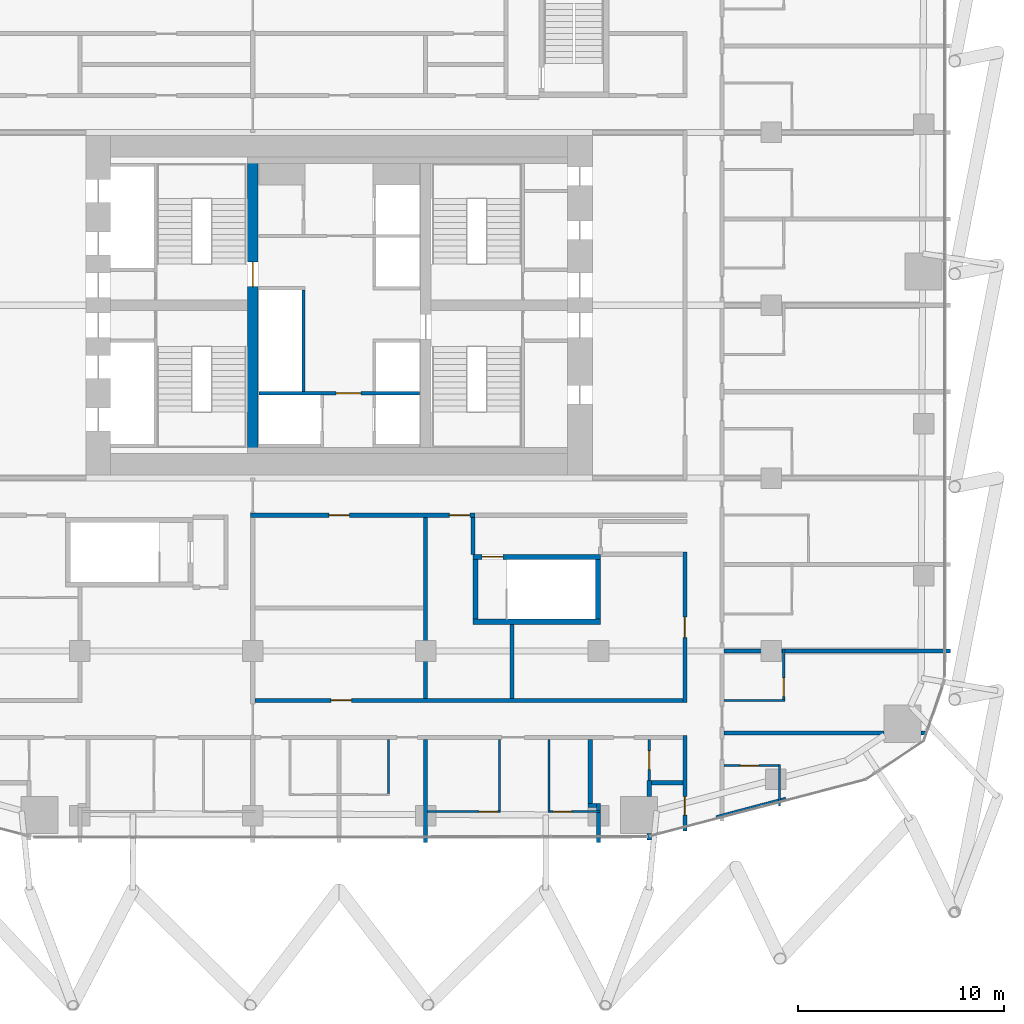
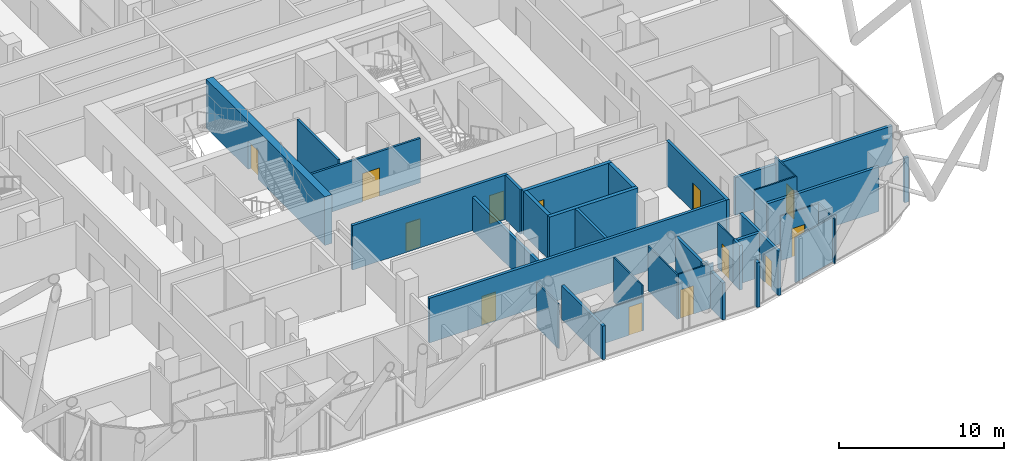
# One storey, part 29 of 36: 35 walls, 13 doors, 13 openings.
"""IFC4 building model written with IfcOpenShell, lengths in metres."""

from ifc_helpers import new_model, si_unit, direction, frame, frame_2d, origin, place, context, subcontext, project, spatial, rectangle, extrude, material, layer, layer_set, type_object, element, fill, save


model = new_model("IFC4")

# Units and contexts
model_context = context("Model", 3, precision=1e-05, world=origin(), true_north=direction((0.0, 1.0)))
body_context = subcontext(model_context, "Body", "Model", "MODEL_VIEW")
ifc_project = project(units=[si_unit("LENGTHUNIT", "METRE"), si_unit("AREAUNIT", "SQUARE_METRE"), si_unit("VOLUMEUNIT", "CUBIC_METRE"), si_unit("PLANEANGLEUNIT", "RADIAN"), si_unit("MASSUNIT", "GRAM", prefix="KILO")], contexts=[model_context])

# Site, building, storey
site_placement = place(None, origin())
site = spatial("IfcSite", under=ifc_project, at=site_placement, CompositionType="ELEMENT")
building_placement = place(site_placement, origin())
building = spatial("IfcBuilding", under=site, at=building_placement, Name="Marenta Gate Hotel Tower", CompositionType="ELEMENT")
storey_placement = place(building_placement, frame((0.0, 0.0, 83.300048828125)))
storey = spatial("IfcBuildingStorey", under=building, at=storey_placement, Name="L19", CompositionType="ELEMENT", Elevation=83.300048828125)

# Wall, opening, door
ifc_material_1 = material(Name="Concrete blockwork", Category="masonry")
ifc_layer_1 = layer(ifc_material_1, 0.14990234375)
ifc_layer_set_1 = layer_set([ifc_layer_1], Name="Concrete blockwork")
wall_type_1 = type_object("IfcWallType", Name="Core lobby partition 150 REI 180", PredefinedType="PARTITIONING", material=ifc_layer_set_1)
wall_1_placement = place(storey_placement, frame((-3.89990234375, 4.125, 0.0), z_axis=(0.0, 0.0, 1.0), x_axis=(1.0, 0.0, 0.0)))
wall_1 = element("IfcWall", 1, at=wall_1_placement, inside=storey, type_object=wall_type_1, Name="L19-CP-CW-S", PredefinedType="PARTITIONING", context=body_context, shape_type="SweptSolid", body=[
    extrude(rectangle(XDim=7.7998046875, YDim=0.14990234375, at=frame_2d((3.89990234375, 0.0))), origin(), (0.0, 0.0, 1.0), 3.300048828125),
])
opening_1_placement = place(wall_1_placement, frame((3.75, 0.0, 0.0)))
opening_1 = element("IfcOpeningElement", 2, at=opening_1_placement, cuts=wall_1, Name="Opening FD-FFS", PredefinedType="OPENING", context=body_context, shape_type="SweptSolid", body=[
    extrude(rectangle(XDim=1.199951171875, YDim=2.10009765625, at=frame_2d((0.60009765625, 1.050048828125))), frame((0.0, 0.074951171875, 0.0), z_axis=(0.0, -1.0, 0.0), x_axis=(1.0, 0.0, 0.0)), (0.0, 0.0, 1.0), 0.14990234375),
])
ifc_material_2 = material(Name="Steel", Category="steel")
door_type_1 = type_object("IfcDoorType", Name="Core lobby door 1200x2100 FD60", OperationType="SINGLE_SWING_LEFT", PredefinedType="DOOR", material=ifc_material_2)
door_1_placement = place(opening_1_placement, origin())
door_1 = element("IfcDoor", 3, at=door_1_placement, inside=storey, type_object=door_type_1, Name="FD-FFS", OperationType="SINGLE_SWING_LEFT", OverallHeight=2.10009765625, OverallWidth=1.199951171875, PredefinedType="DOOR", context=body_context, shape_type="SweptSolid", body=[
    extrude(rectangle(XDim=1.199951171875, YDim=2.10009765625, at=frame_2d((0.60009765625, 1.050048828125))), frame((0.0, 0.02490234375, 0.0), z_axis=(0.0, -1.0, 0.0), x_axis=(1.0, 0.0, 0.0)), (0.0, 0.0, 1.0), 0.050048828125),
])
fill(opening_1, door_1)

# Wall
ifc_material_3 = material(Name="Concrete C40", Category="concrete")
ifc_layer_2 = layer(ifc_material_3, 0.14990234375)
ifc_layer_set_2 = layer_set([ifc_layer_2], Name="Concrete C40")
wall_type_2 = type_object("IfcWallType", Name="Core shaft wall 150 REI 180", PredefinedType="SHEAR", material=ifc_layer_set_2)
wall_2_placement = place(storey_placement, frame((-1.72509765625, 4.199951171875, 0.0), z_axis=(0.0, 0.0, 1.0), x_axis=(0.0, 1.0, 0.0)))
element("IfcWall", 4, at=wall_2_placement, inside=storey, type_object=wall_type_2, Name="L19-SHF-CW-W-front", PredefinedType="SHEAR", context=body_context, shape_type="SweptSolid", body=[
    extrude(rectangle(XDim=4.949951171875, YDim=0.14990234375, at=frame_2d((2.47509765625, 0.0))), origin(), (0.0, 0.0, 1.0), 3.599853515625),
])

# Wall, opening, door
ifc_material_4 = material(Name="Concrete C80", Category="concrete")
ifc_layer_3 = layer(ifc_material_4, 0.5)
ifc_layer_set_3 = layer_set([ifc_layer_3], Name="Concrete C80")
wall_type_3 = type_object("IfcWallType", Name="Core web 500 C80", PredefinedType="SHEAR", material=ifc_layer_set_3)
wall_3_placement = place(storey_placement, frame((-4.199951171875, 1.199951171875, 0.0), z_axis=(0.0, 0.0, 1.0), x_axis=(0.0, 1.0, 0.0)))
wall_3 = element("IfcWall", 5, at=wall_3_placement, inside=storey, type_object=wall_type_3, Name="L19-CORE-W1", PredefinedType="SHEAR", context=body_context, shape_type="SweptSolid", body=[
    extrude(rectangle(XDim=14.400146484375, YDim=0.5, at=frame_2d((7.2001953125, 0.0))), origin(), (0.0, 0.0, 1.0), 3.599853515625),
])
opening_2_placement = place(wall_3_placement, frame((8.10009765625, 0.0, 0.0)))
opening_2 = element("IfcOpeningElement", 6, at=opening_2_placement, cuts=wall_3, Name="Opening WD-W", PredefinedType="OPENING", context=body_context, shape_type="SweptSolid", body=[
    extrude(rectangle(XDim=1.199951171875, YDim=2.10009765625, at=frame_2d((0.60009765625, 1.050048828125))), frame((0.0, 0.25, 0.0), z_axis=(0.0, -1.0, 0.0), x_axis=(1.0, 0.0, 0.0)), (0.0, 0.0, 1.0), 0.5),
])
ifc_material_5 = material(Name="Steel", Category="steel")
door_type_2 = type_object("IfcDoorType", Name="Core stair door 1200x2100 FD60", OperationType="SINGLE_SWING_LEFT", PredefinedType="DOOR", material=ifc_material_5)
door_2_placement = place(opening_2_placement, origin())
door_2 = element("IfcDoor", 7, at=door_2_placement, inside=storey, type_object=door_type_2, Name="WD-W", OperationType="SINGLE_SWING_LEFT", OverallHeight=2.10009765625, OverallWidth=1.199951171875, PredefinedType="DOOR", context=body_context, shape_type="SweptSolid", body=[
    extrude(rectangle(XDim=1.199951171875, YDim=2.10009765625, at=frame_2d((0.60009765625, 1.050048828125))), frame((0.0, 0.02490234375, 0.0), z_axis=(0.0, -1.0, 0.0), x_axis=(1.0, 0.0, 0.0)), (0.0, 0.0, 1.0), 0.050048828125),
])
fill(opening_2, door_2)

# Wall
ifc_material_6 = material(Name="Concrete C40", Category="concrete")
ifc_layer_4 = layer(ifc_material_6, 0.25)
ifc_layer_set_4 = layer_set([ifc_layer_4], Name="Concrete C40")
wall_type_4 = type_object("IfcWallType", Name="Remote stair enclosure wall 250 REI 180", PredefinedType="SHEAR", material=ifc_layer_set_4)
wall_4_placement = place(storey_placement, frame((6.5, -6.97509765625, 0.099853515625), z_axis=(0.0, 0.0, 1.0), x_axis=(1.0, 0.0, 0.0)))
element("IfcWall", 8, at=wall_4_placement, inside=storey, type_object=wall_type_4, Name="L19-RS-Z1-1-W1", PredefinedType="SHEAR", context=body_context, shape_type="SweptSolid", body=[
    extrude(rectangle(XDim=6.199951171875, YDim=0.25, at=frame_2d((3.10009765625, 0.0))), origin(), (0.0, 0.0, 1.0), 3.2001953125),
])

# Wall, opening, door
wall_5_placement = place(storey_placement, frame((6.5, -3.824951171875, 0.099853515625), z_axis=(0.0, 0.0, 1.0), x_axis=(1.0, 0.0, 0.0)))
wall_5 = element("IfcWall", 9, at=wall_5_placement, inside=storey, type_object=wall_type_4, Name="L19-RS-Z1-1-W2", PredefinedType="SHEAR", context=body_context, shape_type="SweptSolid", body=[
    extrude(rectangle(XDim=6.199951171875, YDim=0.25, at=frame_2d((3.10009765625, 0.0))), origin(), (0.0, 0.0, 1.0), 3.2001953125),
])
opening_3_placement = place(wall_5_placement, frame((0.449951171875, 0.0, 0.0)))
opening_3 = element("IfcOpeningElement", 10, at=opening_3_placement, cuts=wall_5, Name="Opening VD", PredefinedType="OPENING", context=body_context, shape_type="SweptSolid", body=[
    extrude(rectangle(XDim=1.0, YDim=2.10009765625, at=frame_2d((0.5, 1.050048828125))), frame((0.0, 0.125, 0.0), z_axis=(0.0, -1.0, 0.0), x_axis=(1.0, 0.0, 0.0)), (0.0, 0.0, 1.0), 0.25),
])
ifc_material_7 = material(Name="Steel", Category="steel")
door_type_3 = type_object("IfcDoorType", Name="Stair vestibule door 1000x2100 FD60", OperationType="SINGLE_SWING_LEFT", PredefinedType="DOOR", material=ifc_material_7)
door_3_placement = place(opening_3_placement, origin())
door_3 = element("IfcDoor", 11, at=door_3_placement, inside=storey, type_object=door_type_3, Name="VD", OperationType="SINGLE_SWING_LEFT", OverallHeight=2.10009765625, OverallWidth=1.0, PredefinedType="DOOR", context=body_context, shape_type="SweptSolid", body=[
    extrude(rectangle(XDim=1.0, YDim=2.10009765625, at=frame_2d((0.5, 1.050048828125))), frame((0.0, 0.02490234375, 0.0), z_axis=(0.0, -1.0, 0.0), x_axis=(1.0, 0.0, 0.0)), (0.0, 0.0, 1.0), 0.050048828125),
])
fill(opening_3, door_3)

# Walls
for number, where, z_axis, x_axis, name in (
    (12, (6.625, -6.85009765625, 0.099853515625), (0.0, 0.0, 1.0), (0.0, 1.0, 0.0), "L19-RS-Z1-1-W3"),
    (13, (12.574951171875, -6.85009765625, 0.099853515625), (0.0, 0.0, 1.0), (0.0, 1.0, 0.0), "L19-RS-Z1-1-W4"),
):
    element("IfcWall", number, at=place(storey_placement, frame(where, z_axis=z_axis, x_axis=x_axis)), inside=storey, type_object=wall_type_4, Name=name, PredefinedType="SHEAR", context=body_context, shape_type="SweptSolid", body=[
        extrude(rectangle(XDim=2.900146484375, YDim=0.25, at=frame_2d((1.4501953125, 0.0))), origin(), (0.0, 0.0, 1.0), 3.2001953125),
    ])

# Wall, opening, door
ifc_material_8 = material(Name="Concrete blockwork", Category="masonry")
ifc_layer_5 = layer(ifc_material_8, 0.199951171875)
ifc_layer_set_5 = layer_set([ifc_layer_5], Name="Concrete blockwork")
wall_type_5 = type_object("IfcWallType", Name="Room corridor wall 200 EI 120", PredefinedType="PARTITIONING", material=ifc_layer_set_5)
wall_6_placement = place(storey_placement, frame((16.800048828125, -17.14306640625, 0.0), z_axis=(0.0, 0.0, 1.0), x_axis=(0.0, 1.0, 0.0)))
wall_6 = element("IfcWall", 14, at=wall_6_placement, inside=storey, type_object=wall_type_5, Name="L19-PTN-W016", PredefinedType="PARTITIONING", context=body_context, shape_type="SweptSolid", body=[
    extrude(rectangle(XDim=4.64306640625, YDim=0.199951171875, at=frame_2d((2.321533203125, 0.0))), origin(), (0.0, 0.0, 1.0), 3.300048828125),
])
opening_4_placement = place(wall_6_placement, frame((0.77099609375, 0.0, 0.0)))
opening_4 = element("IfcOpeningElement", 15, at=opening_4_placement, cuts=wall_6, Name="Opening G07-81", PredefinedType="OPENING", context=body_context, shape_type="SweptSolid", body=[
    extrude(rectangle(XDim=0.89990234375, YDim=2.10009765625, at=frame_2d((0.449951171875, 1.050048828125))), frame((0.0, 0.10009765625, 0.0), z_axis=(0.0, -1.0, 0.0), x_axis=(1.0, 0.0, 0.0)), (0.0, 0.0, 1.0), 0.199951171875),
])
ifc_material_9 = material(Name="Hollow steel door set", Category="steel")
door_type_4 = type_object("IfcDoorType", Name="Room service door 900x2100 EI 60", OperationType="NOTDEFINED", PredefinedType="DOOR", material=ifc_material_9)
door_4_placement = place(opening_4_placement, origin())
door_4 = element("IfcDoor", 16, at=door_4_placement, inside=storey, type_object=door_type_4, Name="L19-PD-D081", OperationType="SINGLE_SWING_RIGHT", OverallHeight=2.10009765625, OverallWidth=0.89990234375, PredefinedType="DOOR", context=body_context, shape_type="SweptSolid", body=[
    extrude(rectangle(XDim=0.89990234375, YDim=2.10009765625, at=frame_2d((0.449951171875, 1.050048828125))), frame((0.0, 0.02490234375, 0.0), z_axis=(0.0, -1.0, 0.0), x_axis=(1.0, 0.0, 0.0)), (0.0, 0.0, 1.0), 0.050048828125),
])
fill(opening_4, door_4)

ifc_material_10 = material(Name="Gypsum board on steel stud", Category="steel")
ifc_layer_6 = layer(ifc_material_10, 0.199951171875)
ifc_layer_set_6 = layer_set([ifc_layer_6], Name="Gypsum board on steel stud")
wall_type_6 = type_object("IfcWallType", Name="Room corridor wall 200 EI 60", PredefinedType="PARTITIONING", material=ifc_layer_set_6)
wall_7_placement = place(storey_placement, frame((16.800048828125, -10.89990234375, 0.0), z_axis=(0.0, 0.0, 1.0), x_axis=(0.0, 1.0, 0.0)))
wall_7 = element("IfcWall", 17, at=wall_7_placement, inside=storey, type_object=wall_type_6, Name="L19-PTN-W017", PredefinedType="PARTITIONING", context=body_context, shape_type="SweptSolid", body=[
    extrude(rectangle(XDim=7.2998046875, YDim=0.199951171875, at=frame_2d((3.64990234375, 0.0))), origin(), (0.0, 0.0, 1.0), 3.300048828125),
])
opening_5_placement = place(wall_7_placement, frame((3.14990234375, 0.0, 0.0)))
opening_5 = element("IfcOpeningElement", 18, at=opening_5_placement, cuts=wall_7, Name="Opening G07-68", PredefinedType="OPENING", context=body_context, shape_type="SweptSolid", body=[
    extrude(rectangle(XDim=1.0, YDim=2.10009765625, at=frame_2d((0.5, 1.050048828125))), frame((0.0, 0.10009765625, 0.0), z_axis=(0.0, -1.0, 0.0), x_axis=(1.0, 0.0, 0.0)), (0.0, 0.0, 1.0), 0.199951171875),
])
ifc_material_11 = material(Name="Timber door leaf", Category="wood")
door_type_5 = type_object("IfcDoorType", Name="Room amenity door 1000x2100 EI 30", OperationType="NOTDEFINED", PredefinedType="DOOR", material=ifc_material_11)
door_5_placement = place(opening_5_placement, origin())
door_5 = element("IfcDoor", 19, at=door_5_placement, inside=storey, type_object=door_type_5, Name="L19-PD-D068", OperationType="SINGLE_SWING_RIGHT", OverallHeight=2.10009765625, OverallWidth=1.0, PredefinedType="DOOR", context=body_context, shape_type="SweptSolid", body=[
    extrude(rectangle(XDim=1.0, YDim=2.10009765625, at=frame_2d((0.5, 1.050048828125))), frame((0.0, 0.02490234375, 0.0), z_axis=(0.0, -1.0, 0.0), x_axis=(1.0, 0.0, 0.0)), (0.0, 0.0, 1.0), 0.050048828125),
])
fill(opening_5, door_5)

wall_8_placement = place(storey_placement, frame((-4.10009765625, -10.800048828125, 0.0), z_axis=(0.0, 0.0, 1.0), x_axis=(1.0, 0.0, 0.0)))
wall_8 = element("IfcWall", 20, at=wall_8_placement, inside=storey, type_object=wall_type_6, Name="L19-PTN-W043", PredefinedType="PARTITIONING", context=body_context, shape_type="SweptSolid", body=[
    extrude(rectangle(XDim=20.800048828125, YDim=0.199951171875, at=frame_2d((10.39990234375, 0.0))), origin(), (0.0, 0.0, 1.0), 3.300048828125),
])
opening_6_placement = place(wall_8_placement, frame((3.699951171875, 0.0, 0.0)))
opening_6 = element("IfcOpeningElement", 21, at=opening_6_placement, cuts=wall_8, Name="Opening G07-70", PredefinedType="OPENING", context=body_context, shape_type="SweptSolid", body=[
    extrude(rectangle(XDim=1.0, YDim=2.10009765625, at=frame_2d((0.5, 1.050048828125))), frame((0.0, 0.10009765625, 0.0), z_axis=(0.0, -1.0, 0.0), x_axis=(1.0, 0.0, 0.0)), (0.0, 0.0, 1.0), 0.199951171875),
])
door_6_placement = place(opening_6_placement, origin())
door_6 = element("IfcDoor", 22, at=door_6_placement, inside=storey, type_object=door_type_5, Name="L19-PD-D070", OperationType="SINGLE_SWING_RIGHT", OverallHeight=2.10009765625, OverallWidth=1.0, PredefinedType="DOOR", context=body_context, shape_type="SweptSolid", body=[
    extrude(rectangle(XDim=1.0, YDim=2.10009765625, at=frame_2d((0.5, 1.050048828125))), frame((0.0, 0.02490234375, 0.0), z_axis=(0.0, -1.0, 0.0), x_axis=(1.0, 0.0, 0.0)), (0.0, 0.0, 1.0), 0.050048828125),
])
fill(opening_6, door_6)

# Wall, openings, doors
wall_9_placement = place(storey_placement, frame((-4.300048828125, -1.800048828125, 0.0), z_axis=(0.0, 0.0, 1.0), x_axis=(1.0, 0.0, 0.0)))
wall_9 = element("IfcWall", 23, at=wall_9_placement, inside=storey, type_object=wall_type_6, Name="L19-PTN-W068", PredefinedType="PARTITIONING", context=body_context, shape_type="SweptSolid", body=[
    extrude(rectangle(XDim=10.900146484375, YDim=0.199951171875, at=frame_2d((5.4501953125, 0.0))), origin(), (0.0, 0.0, 1.0), 3.300048828125),
])
opening_7_placement = place(wall_9_placement, frame((9.64990234375, 0.0, 0.0)))
opening_7 = element("IfcOpeningElement", 24, at=opening_7_placement, cuts=wall_9, Name="Opening G07-06", PredefinedType="OPENING", context=body_context, shape_type="SweptSolid", body=[
    extrude(rectangle(XDim=1.0, YDim=2.10009765625, at=frame_2d((0.5, 1.050048828125))), frame((0.0, 0.10009765625, 0.0), z_axis=(0.0, -1.0, 0.0), x_axis=(1.0, 0.0, 0.0)), (0.0, 0.0, 1.0), 0.199951171875),
])
opening_8_placement = place(wall_9_placement, frame((3.800048828125, 0.0, 0.0)))
opening_8 = element("IfcOpeningElement", 25, at=opening_8_placement, cuts=wall_9, Name="Opening G07-71", PredefinedType="OPENING", context=body_context, shape_type="SweptSolid", body=[
    extrude(rectangle(XDim=1.0, YDim=2.10009765625, at=frame_2d((0.5, 1.050048828125))), frame((0.0, 0.10009765625, 0.0), z_axis=(0.0, -1.0, 0.0), x_axis=(1.0, 0.0, 0.0)), (0.0, 0.0, 1.0), 0.199951171875),
])
door_7_placement = place(opening_7_placement, origin())
door_7 = element("IfcDoor", 26, at=door_7_placement, inside=storey, type_object=door_type_5, Name="L19-PD-D006", OperationType="SINGLE_SWING_LEFT", OverallHeight=2.10009765625, OverallWidth=1.0, PredefinedType="DOOR", context=body_context, shape_type="SweptSolid", body=[
    extrude(rectangle(XDim=1.0, YDim=2.10009765625, at=frame_2d((0.5, 1.050048828125))), frame((0.0, 0.02490234375, 0.0), z_axis=(0.0, -1.0, 0.0), x_axis=(1.0, 0.0, 0.0)), (0.0, 0.0, 1.0), 0.050048828125),
])
fill(opening_7, door_7)
door_8_placement = place(opening_8_placement, origin())
door_8 = element("IfcDoor", 27, at=door_8_placement, inside=storey, type_object=door_type_5, Name="L19-PD-D071", OperationType="SINGLE_SWING_LEFT", OverallHeight=2.10009765625, OverallWidth=1.0, PredefinedType="DOOR", context=body_context, shape_type="SweptSolid", body=[
    extrude(rectangle(XDim=1.0, YDim=2.10009765625, at=frame_2d((0.5, 1.050048828125))), frame((0.0, 0.02490234375, 0.0), z_axis=(0.0, -1.0, 0.0), x_axis=(1.0, 0.0, 0.0)), (0.0, 0.0, 1.0), 0.050048828125),
])
fill(opening_8, door_8)

# Wall, opening, door
ifc_material_12 = material(Name="Gypsum board on steel stud", Category="steel")
ifc_layer_7 = layer(ifc_material_12, 0.10009765625)
ifc_layer_set_7 = layer_set([ifc_layer_7], Name="Gypsum board on steel stud")
wall_type_7 = type_object("IfcWallType", Name="Room partition 100", PredefinedType="PARTITIONING", material=ifc_layer_set_7)
wall_10_placement = place(storey_placement, frame((21.60009765625, -10.75, 0.0), z_axis=(0.0, 0.0, 1.0), x_axis=(0.0, 1.0, 0.0)))
wall_10 = element("IfcWall", 28, at=wall_10_placement, inside=storey, type_object=wall_type_7, Name="L19-PTN-W006", PredefinedType="PARTITIONING", context=body_context, shape_type="SweptSolid", body=[
    extrude(rectangle(XDim=2.449951171875, YDim=0.10009765625, at=frame_2d((1.22509765625, 0.0))), origin(), (0.0, 0.0, 1.0), 3.300048828125),
])
opening_9_placement = place(wall_10_placement, frame((0.14990234375, 0.0, 0.0)))
opening_9 = element("IfcOpeningElement", 29, at=opening_9_placement, cuts=wall_10, Name="Opening G07-10", PredefinedType="OPENING", context=body_context, shape_type="SweptSolid", body=[
    extrude(rectangle(XDim=0.89990234375, YDim=2.10009765625, at=frame_2d((0.449951171875, 1.050048828125))), frame((0.0, 0.050048828125, 0.0), z_axis=(0.0, -1.0, 0.0), x_axis=(1.0, 0.0, 0.0)), (0.0, 0.0, 1.0), 0.10009765625),
])
ifc_material_13 = material(Name="Timber door leaf", Category="wood")
door_type_6 = type_object("IfcDoorType", Name="Guest bathroom door 900x2100", OperationType="NOTDEFINED", PredefinedType="DOOR", material=ifc_material_13)
door_9_placement = place(opening_9_placement, origin())
door_9 = element("IfcDoor", 30, at=door_9_placement, inside=storey, type_object=door_type_6, Name="L19-PD-D010", OperationType="SINGLE_SWING_LEFT", OverallHeight=2.10009765625, OverallWidth=0.89990234375, PredefinedType="DOOR", context=body_context, shape_type="SweptSolid", body=[
    extrude(rectangle(XDim=0.89990234375, YDim=2.10009765625, at=frame_2d((0.449951171875, 1.050048828125))), frame((0.0, 0.02490234375, 0.0), z_axis=(0.0, -1.0, 0.0), x_axis=(1.0, 0.0, 0.0)), (0.0, 0.0, 1.0), 0.050048828125),
])
fill(opening_9, door_9)

# Walls
wall_11_placement = place(storey_placement, frame((21.39990234375, -15.922119140625, 0.0), z_axis=(0.0, 0.0, 1.0), x_axis=(0.0, 1.0, 0.0)))
element("IfcWall", 31, at=wall_11_placement, inside=storey, type_object=wall_type_7, Name="L19-PTN-W010", PredefinedType="PARTITIONING", context=body_context, shape_type="SweptSolid", body=[
    extrude(rectangle(XDim=2.007080078125, YDim=0.10009765625, at=frame_2d((1.00341796875, 0.0))), origin(), (0.0, 0.0, 1.0), 3.300048828125),
])
wall_12_placement = place(storey_placement, frame((18.31005859375, -16.44189453125, 0.0), z_axis=(0.0, 0.0, 1.0), x_axis=(0.966542484633, 0.25650657964, 0.0)))
element("IfcWall", 32, at=wall_12_placement, inside=storey, type_object=wall_type_7, Name="L19-PTN-W014", PredefinedType="PARTITIONING", context=body_context, shape_type="SweptSolid", body=[
    extrude(rectangle(XDim=3.496826171875, YDim=0.10009765625, at=frame_2d((1.74853515625, 0.0))), origin(), (0.0, 0.0, 1.0), 3.300048828125),
])

# Wall, opening, door
wall_13_placement = place(storey_placement, frame((4.300048828125, -16.199951171875, 0.0), z_axis=(0.0, 0.0, 1.0), x_axis=(1.0, 0.0, 0.0)))
wall_13 = element("IfcWall", 33, at=wall_13_placement, inside=storey, type_object=wall_type_7, Name="L19-PTN-W022", PredefinedType="PARTITIONING", context=body_context, shape_type="SweptSolid", body=[
    extrude(rectangle(XDim=3.550048828125, YDim=0.10009765625, at=frame_2d((1.77490234375, 0.0))), origin(), (0.0, 0.0, 1.0), 2.48583984375),
])
opening_10_placement = place(wall_13_placement, frame((2.5, 0.0, 0.0)))
opening_10 = element("IfcOpeningElement", 34, at=opening_10_placement, cuts=wall_13, Name="Opening G07-49", PredefinedType="OPENING", context=body_context, shape_type="SweptSolid", body=[
    extrude(rectangle(XDim=0.89990234375, YDim=2.10009765625, at=frame_2d((0.449951171875, 1.050048828125))), frame((0.0, 0.050048828125, 0.0), z_axis=(0.0, -1.0, 0.0), x_axis=(1.0, 0.0, 0.0)), (0.0, 0.0, 1.0), 0.10009765625),
])
door_10_placement = place(opening_10_placement, origin())
door_10 = element("IfcDoor", 35, at=door_10_placement, inside=storey, type_object=door_type_6, Name="L19-PD-D049", OperationType="SINGLE_SWING_RIGHT", OverallHeight=2.10009765625, OverallWidth=0.89990234375, PredefinedType="DOOR", context=body_context, shape_type="SweptSolid", body=[
    extrude(rectangle(XDim=0.89990234375, YDim=2.10009765625, at=frame_2d((0.449951171875, 1.050048828125))), frame((0.0, 0.02490234375, 0.0), z_axis=(0.0, -1.0, 0.0), x_axis=(1.0, 0.0, 0.0)), (0.0, 0.0, 1.0), 0.050048828125),
])
fill(opening_10, door_10)

wall_14_placement = place(storey_placement, frame((10.25, -16.199951171875, 0.0), z_axis=(0.0, 0.0, 1.0), x_axis=(1.0, 0.0, 0.0)))
wall_14 = element("IfcWall", 36, at=wall_14_placement, inside=storey, type_object=wall_type_7, Name="L19-PTN-W023", PredefinedType="PARTITIONING", context=body_context, shape_type="SweptSolid", body=[
    extrude(rectangle(XDim=2.449951171875, YDim=0.10009765625, at=frame_2d((1.22509765625, 0.0))), origin(), (0.0, 0.0, 1.0), 3.300048828125),
])
opening_11_placement = place(wall_14_placement, frame((0.14990234375, 0.0, 0.0)))
opening_11 = element("IfcOpeningElement", 37, at=opening_11_placement, cuts=wall_14, Name="Opening G07-50", PredefinedType="OPENING", context=body_context, shape_type="SweptSolid", body=[
    extrude(rectangle(XDim=0.89990234375, YDim=2.10009765625, at=frame_2d((0.449951171875, 1.050048828125))), frame((0.0, 0.050048828125, 0.0), z_axis=(0.0, -1.0, 0.0), x_axis=(1.0, 0.0, 0.0)), (0.0, 0.0, 1.0), 0.10009765625),
])
ifc_material_14 = material(Name="Timber door leaf", Category="wood")
door_type_7 = type_object("IfcDoorType", Name="Room inner door 900x2100", OperationType="NOTDEFINED", PredefinedType="DOOR", material=ifc_material_14)
door_11_placement = place(opening_11_placement, origin())
door_11 = element("IfcDoor", 38, at=door_11_placement, inside=storey, type_object=door_type_7, Name="L19-PD-D050", OperationType="SINGLE_SWING_LEFT", OverallHeight=2.10009765625, OverallWidth=0.89990234375, PredefinedType="DOOR", context=body_context, shape_type="SweptSolid", body=[
    extrude(rectangle(XDim=0.89990234375, YDim=2.10009765625, at=frame_2d((0.449951171875, 1.050048828125))), frame((0.0, 0.02490234375, 0.0), z_axis=(0.0, -1.0, 0.0), x_axis=(1.0, 0.0, 0.0)), (0.0, 0.0, 1.0), 0.050048828125),
])
fill(opening_11, door_11)

wall_15_placement = place(storey_placement, frame((15.06591796875, -14.89990234375, 0.0), z_axis=(0.0, 0.0, 1.0), x_axis=(0.0, 1.0, 0.0)))
wall_15 = element("IfcWall", 39, at=wall_15_placement, inside=storey, type_object=wall_type_7, Name="L19-PTN-W028", PredefinedType="PARTITIONING", context=body_context, shape_type="SweptSolid", body=[
    extrude(rectangle(XDim=2.199951171875, YDim=0.10009765625, at=frame_2d((1.10009765625, 0.0))), origin(), (0.0, 0.0, 1.0), 3.300048828125),
])
opening_12_placement = place(wall_15_placement, frame((0.75, 0.0, 0.0)))
opening_12 = element("IfcOpeningElement", 40, at=opening_12_placement, cuts=wall_15, Name="Opening G07-80", PredefinedType="OPENING", context=body_context, shape_type="SweptSolid", body=[
    extrude(rectangle(XDim=0.89990234375, YDim=2.10009765625, at=frame_2d((0.449951171875, 1.050048828125))), frame((0.0, 0.050048828125, 0.0), z_axis=(0.0, -1.0, 0.0), x_axis=(1.0, 0.0, 0.0)), (0.0, 0.0, 1.0), 0.10009765625),
])
door_12_placement = place(opening_12_placement, origin())
door_12 = element("IfcDoor", 41, at=door_12_placement, inside=storey, type_object=door_type_6, Name="L19-PD-D080", OperationType="SINGLE_SWING_RIGHT", OverallHeight=2.10009765625, OverallWidth=0.89990234375, PredefinedType="DOOR", context=body_context, shape_type="SweptSolid", body=[
    extrude(rectangle(XDim=0.89990234375, YDim=2.10009765625, at=frame_2d((0.449951171875, 1.050048828125))), frame((0.0, 0.02490234375, 0.0), z_axis=(0.0, -1.0, 0.0), x_axis=(1.0, 0.0, 0.0)), (0.0, 0.0, 1.0), 0.050048828125),
])
fill(opening_12, door_12)

wall_16_placement = place(storey_placement, frame((18.699951171875, -13.965087890625, 0.0), z_axis=(0.0, 0.0, 1.0), x_axis=(1.0, 0.0, 0.0)))
wall_16 = element("IfcWall", 42, at=wall_16_placement, inside=storey, type_object=wall_type_7, Name="L19-PTN-W032", PredefinedType="PARTITIONING", context=body_context, shape_type="SweptSolid", body=[
    extrude(rectangle(XDim=2.650146484375, YDim=0.10009765625, at=frame_2d((1.3251953125, 0.0))), origin(), (0.0, 0.0, 1.0), 3.300048828125),
])
opening_13_placement = place(wall_16_placement, frame((0.7900390625, 0.0, 0.0)))
opening_13 = element("IfcOpeningElement", 43, at=opening_13_placement, cuts=wall_16, Name="Opening G07-08", PredefinedType="OPENING", context=body_context, shape_type="SweptSolid", body=[
    extrude(rectangle(XDim=0.89990234375, YDim=2.10009765625, at=frame_2d((0.449951171875, 1.050048828125))), frame((0.0, 0.050048828125, 0.0), z_axis=(0.0, -1.0, 0.0), x_axis=(1.0, 0.0, 0.0)), (0.0, 0.0, 1.0), 0.10009765625),
])
door_13_placement = place(opening_13_placement, origin())
door_13 = element("IfcDoor", 44, at=door_13_placement, inside=storey, type_object=door_type_6, Name="L19-PD-D008", OperationType="SINGLE_SWING_LEFT", OverallHeight=2.10009765625, OverallWidth=0.89990234375, PredefinedType="DOOR", context=body_context, shape_type="SweptSolid", body=[
    extrude(rectangle(XDim=0.89990234375, YDim=2.10009765625, at=frame_2d((0.449951171875, 1.050048828125))), frame((0.0, 0.02490234375, 0.0), z_axis=(0.0, -1.0, 0.0), x_axis=(1.0, 0.0, 0.0)), (0.0, 0.0, 1.0), 0.050048828125),
])
fill(opening_13, door_13)

# Walls
wall_17_placement = place(storey_placement, frame((18.699951171875, -10.800048828125, 0.0), z_axis=(0.0, 0.0, 1.0), x_axis=(1.0, 0.0, 0.0)))
element("IfcWall", 45, at=wall_17_placement, inside=storey, type_object=wall_type_7, Name="L19-PTN-W041", PredefinedType="PARTITIONING", context=body_context, shape_type="SweptSolid", body=[
    extrude(rectangle(XDim=2.949951171875, YDim=0.10009765625, at=frame_2d((1.47509765625, 0.0))), origin(), (0.0, 0.0, 1.0), 3.300048828125),
])
wall_18_placement = place(storey_placement, frame((10.199951171875, -16.25, 0.0), z_axis=(0.0, 0.0, 1.0), x_axis=(0.0, 1.0, 0.0)))
element("IfcWall", 46, at=wall_18_placement, inside=storey, type_object=wall_type_7, Name="L19-PTN-W044", PredefinedType="PARTITIONING", context=body_context, shape_type="SweptSolid", body=[
    extrude(rectangle(XDim=3.550048828125, YDim=0.10009765625, at=frame_2d((1.77490234375, 0.0))), origin(), (0.0, 0.0, 1.0), 3.300048828125),
])
wall_19_placement = place(storey_placement, frame((7.800048828125, -16.14990234375, 0.0), z_axis=(0.0, 0.0, 1.0), x_axis=(0.0, 1.0, 0.0)))
element("IfcWall", 47, at=wall_19_placement, inside=storey, type_object=wall_type_7, Name="L19-PTN-W050", PredefinedType="PARTITIONING", context=body_context, shape_type="SweptSolid", body=[
    extrude(rectangle(XDim=3.449951171875, YDim=0.10009765625, at=frame_2d((1.72509765625, 0.0))), origin(), (0.0, 0.0, 1.0), 3.300048828125),
])
wall_20_placement = place(storey_placement, frame((2.39990234375, -15.324951171875, 0.0), z_axis=(0.0, 0.0, 1.0), x_axis=(0.0, 1.0, 0.0)))
element("IfcWall", 48, at=wall_20_placement, inside=storey, type_object=wall_type_7, Name="L19-PTN-W063", PredefinedType="PARTITIONING", context=body_context, shape_type="SweptSolid", body=[
    extrude(rectangle(XDim=2.625, YDim=0.10009765625, at=frame_2d((1.3125, 0.0))), origin(), (0.0, 0.0, 1.0), 3.300048828125),
])
ifc_material_15 = material(Name="Concrete blockwork", Category="masonry")
ifc_layer_8 = layer(ifc_material_15, 0.199951171875)
ifc_layer_set_8 = layer_set([ifc_layer_8], Name="Concrete blockwork")
wall_type_8 = type_object("IfcWallType", Name="Room party wall 200 EI 120", PredefinedType="PARTITIONING", material=ifc_layer_set_8)
wall_21_placement = place(storey_placement, frame((15.06591796875, -17.593017578125, 0.0), z_axis=(0.0, 0.0, 1.0), x_axis=(0.0, 1.0, 0.0)))
element("IfcWall", 49, at=wall_21_placement, inside=storey, type_object=wall_type_8, Name="L19-PTN-W027", PredefinedType="PARTITIONING", context=body_context, shape_type="SweptSolid", body=[
    extrude(rectangle(XDim=0.318115234375, YDim=0.199951171875, at=frame_2d((0.1591796875, 0.0))), origin(), (0.0, 0.0, 1.0), 3.300048828125),
])
wall_22_placement = place(storey_placement, frame((15.06591796875, -15.47509765625, 0.0), z_axis=(0.0, 0.0, 1.0), x_axis=(0.0, 1.0, 0.0)))
element("IfcWall", 50, at=wall_22_placement, inside=storey, type_object=wall_type_8, Name="L19-PTN-W150", PredefinedType="PARTITIONING", context=body_context, shape_type="SweptSolid", body=[
    extrude(rectangle(XDim=0.775146484375, YDim=0.199951171875, at=frame_2d((0.3876953125, 0.0))), origin(), (0.0, 0.0, 1.0), 3.300048828125),
])
wall_23_placement = place(storey_placement, frame((15.115966796875, -14.800048828125, 0.0), z_axis=(0.0, 0.0, 1.0), x_axis=(1.0, 0.0, 0.0)))
element("IfcWall", 51, at=wall_23_placement, inside=storey, type_object=wall_type_8, Name="L19-PTN-W030", PredefinedType="PARTITIONING", context=body_context, shape_type="SweptSolid", body=[
    extrude(rectangle(XDim=1.583984375, YDim=0.199951171875, at=frame_2d((0.7919921875, 0.0))), origin(), (0.0, 0.0, 1.0), 3.300048828125),
])
ifc_material_16 = material(Name="Gypsum board on steel stud", Category="steel")
ifc_layer_9 = layer(ifc_material_16, 0.199951171875)
ifc_layer_set_9 = layer_set([ifc_layer_9], Name="Gypsum board on steel stud")
wall_type_9 = type_object("IfcWallType", Name="Room party wall 200 EI 60", PredefinedType="PARTITIONING", material=ifc_layer_set_9)
wall_24_placement = place(storey_placement, frame((12.10009765625, -15.89990234375, 0.0), z_axis=(0.0, 0.0, 1.0), x_axis=(1.0, 0.0, 0.0)))
element("IfcWall", 52, at=wall_24_placement, inside=storey, type_object=wall_type_9, Name="L19-PTN-W025", PredefinedType="PARTITIONING", context=body_context, shape_type="SweptSolid", body=[
    extrude(rectangle(XDim=0.39990234375, YDim=0.199951171875, at=frame_2d((0.199951171875, 0.0))), origin(), (0.0, 0.0, 1.0), 3.300048828125),
])
wall_25_placement = place(storey_placement, frame((12.60009765625, -17.699951171875, 0.0), z_axis=(0.0, 0.0, 1.0), x_axis=(0.0, 1.0, 0.0)))
element("IfcWall", 53, at=wall_25_placement, inside=storey, type_object=wall_type_9, Name="L19-PTN-W035", PredefinedType="PARTITIONING", context=body_context, shape_type="SweptSolid", body=[
    extrude(rectangle(XDim=1.89990234375, YDim=0.199951171875, at=frame_2d((0.949951171875, 0.0))), origin(), (0.0, 0.0, 1.0), 2.741943359375),
])
wall_26_placement = place(storey_placement, frame((18.699951171875, -12.383056640625, 0.0), z_axis=(0.0, 0.0, 1.0), x_axis=(1.0, 0.0, 0.0)))
element("IfcWall", 54, at=wall_26_placement, inside=storey, type_object=wall_type_9, Name="L19-PTN-W038", PredefinedType="PARTITIONING", context=body_context, shape_type="SweptSolid", body=[
    extrude(rectangle(XDim=7.762939453125, YDim=0.199951171875, at=frame_2d((3.88134765625, 0.0))), origin(), (0.0, 0.0, 1.0), 3.300048828125),
])
wall_27_placement = place(storey_placement, frame((28.262939453125, -12.383056640625, 0.0), z_axis=(0.0, 0.0, 1.0), x_axis=(1.0, 0.0, 0.0)))
element("IfcWall", 55, at=wall_27_placement, inside=storey, type_object=wall_type_9, Name="L19-PTN-W151", PredefinedType="PARTITIONING", context=body_context, shape_type="SweptSolid", body=[
    extrude(rectangle(XDim=0.2900390625, YDim=0.199951171875, at=frame_2d((0.14501953125, 0.0))), origin(), (0.0, 0.0, 1.0), 3.300048828125),
])
wall_28_placement = place(storey_placement, frame((12.199951171875, -15.800048828125, 0.0), z_axis=(0.0, 0.0, 1.0), x_axis=(0.0, 1.0, 0.0)))
element("IfcWall", 56, at=wall_28_placement, inside=storey, type_object=wall_type_9, Name="L19-PTN-W039", PredefinedType="PARTITIONING", context=body_context, shape_type="SweptSolid", body=[
    extrude(rectangle(XDim=3.10009765625, YDim=0.199951171875, at=frame_2d((1.550048828125, 0.0))), origin(), (0.0, 0.0, 1.0), 3.300048828125),
])
wall_29_placement = place(storey_placement, frame((8.39990234375, -10.699951171875, 0.0), z_axis=(0.0, 0.0, 1.0), x_axis=(0.0, 1.0, 0.0)))
element("IfcWall", 57, at=wall_29_placement, inside=storey, type_object=wall_type_9, Name="L19-PTN-W045", PredefinedType="PARTITIONING", context=body_context, shape_type="SweptSolid", body=[
    extrude(rectangle(XDim=3.599853515625, YDim=0.199951171875, at=frame_2d((1.7998046875, 0.0))), origin(), (0.0, 0.0, 1.0), 3.300048828125),
])
wall_30_placement = place(storey_placement, frame((18.699951171875, -8.39990234375, 0.0), z_axis=(0.0, 0.0, 1.0), x_axis=(1.0, 0.0, 0.0)))
element("IfcWall", 58, at=wall_30_placement, inside=storey, type_object=wall_type_9, Name="L19-PTN-W047", PredefinedType="PARTITIONING", context=body_context, shape_type="SweptSolid", body=[
    extrude(rectangle(XDim=11.0, YDim=0.199951171875, at=frame_2d((5.5, 0.0))), origin(), (0.0, 0.0, 1.0), 2.800048828125),
])
wall_31_placement = place(storey_placement, frame((4.199951171875, -17.699951171875, 0.0), z_axis=(0.0, 0.0, 1.0), x_axis=(0.0, 1.0, 0.0)))
element("IfcWall", 59, at=wall_31_placement, inside=storey, type_object=wall_type_9, Name="L19-PTN-W057", PredefinedType="PARTITIONING", context=body_context, shape_type="SweptSolid", body=[
    extrude(rectangle(XDim=5.0, YDim=0.199951171875, at=frame_2d((2.5, 0.0))), origin(), (0.0, 0.0, 1.0), 2.48583984375),
])
wall_32_placement = place(storey_placement, frame((4.199951171875, -10.699951171875, 0.0), z_axis=(0.0, 0.0, 1.0), x_axis=(0.0, 1.0, 0.0)))
element("IfcWall", 60, at=wall_32_placement, inside=storey, type_object=wall_type_9, Name="L19-PTN-W058", PredefinedType="PARTITIONING", context=body_context, shape_type="SweptSolid", body=[
    extrude(rectangle(XDim=8.800048828125, YDim=0.199951171875, at=frame_2d((4.39990234375, 0.0))), origin(), (0.0, 0.0, 1.0), 2.48583984375),
])
ifc_material_17 = material(Name="Concrete blockwork", Category="masonry")
ifc_layer_10 = layer(ifc_material_17, 0.199951171875)
ifc_layer_set_10 = layer_set([ifc_layer_10], Name="Concrete blockwork")
wall_type_10 = type_object("IfcWallType", Name="Room party wall 200 REI 180", PredefinedType="PARTITIONING", material=ifc_layer_set_10)
wall_33_placement = place(storey_placement, frame((6.5, -3.699951171875, 0.0), z_axis=(0.0, 0.0, 1.0), x_axis=(0.0, 1.0, 0.0)))
element("IfcWall", 61, at=wall_33_placement, inside=storey, type_object=wall_type_10, Name="L19-PTN-W053", PredefinedType="PARTITIONING", context=body_context, shape_type="SweptSolid", body=[
    extrude(rectangle(XDim=1.800048828125, YDim=0.199951171875, at=frame_2d((0.89990234375, 0.0))), origin(), (0.0, 0.0, 1.0), 3.300048828125),
])

save(model, "model.ifc")
